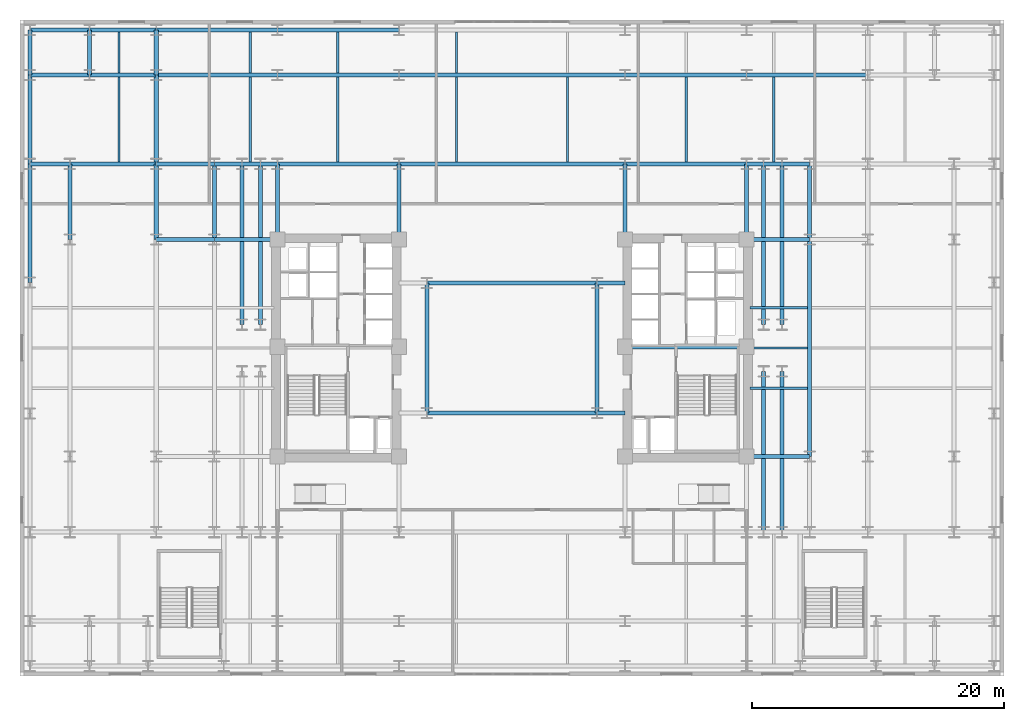
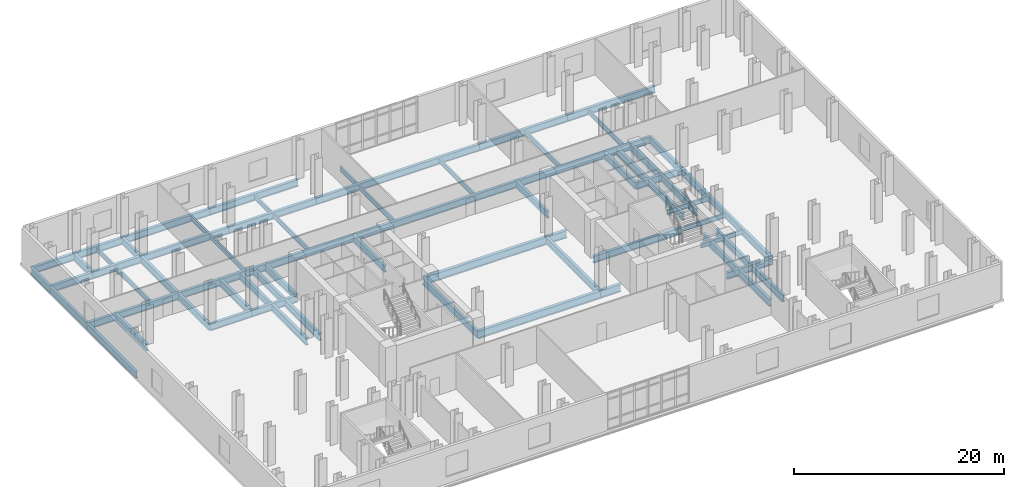
# One storey, part 4 of 13: 65 beams.
"""IFC4 building model written with IfcOpenShell, lengths in metres."""

from ifc_helpers import new_model, si_unit, direction, frame, origin, origin_2d, place, context, subcontext, project, spatial, i_section, extrude, material, material_profile, profile_set, type_object, element, save


model = new_model("IFC4")

# Units and contexts
model_context = context("Model", 3, precision=1e-05, world=origin(), true_north=direction((0.0, 1.0)))
body_context = subcontext(model_context, "Body", "Model", "MODEL_VIEW")
ifc_project = project(units=[si_unit("LENGTHUNIT", "METRE"), si_unit("AREAUNIT", "SQUARE_METRE"), si_unit("VOLUMEUNIT", "CUBIC_METRE"), si_unit("PLANEANGLEUNIT", "RADIAN"), si_unit("MASSUNIT", "GRAM", prefix="KILO")], contexts=[model_context])

# Site, building, storey
site_placement = place(None, origin())
site = spatial("IfcSite", under=ifc_project, at=site_placement, CompositionType="ELEMENT")
building_placement = place(site_placement, origin())
building = spatial("IfcBuilding", under=site, at=building_placement, Name="Velakula Bourse", CompositionType="ELEMENT")
storey_placement = place(building_placement, frame((0.0, 0.0, 5.10009765625)))
storey = spatial("IfcBuildingStorey", under=building, at=storey_placement, Name="L01", CompositionType="ELEMENT", Elevation=5.10009765625)

# Beams
ifc_material = material(Name="Steel IS 2062 Grade 350 (E350)", Category="steel")
ifc_material_profile_1 = material_profile(ifc_material, i_section(OverallWidth=0.35009765625, OverallDepth=0.89990234375, WebThickness=0.02001953125, FlangeThickness=0.031982421875, at=origin_2d()), Name="Steel IS 2062 Grade 350 (E350)")
ifc_profile_set_1 = profile_set([ifc_material_profile_1], Name="Steel IS 2062 Grade 350 (E350)")
beam_type_1 = type_object("IfcBeamType", Name="BM-LNK-900", PredefinedType="BEAM", material=ifc_profile_set_1)
beam_1_placement = place(storey_placement, frame((-6.75, -5.14990234375, -0.7001953125), z_axis=(1.0, 0.0, 0.0), x_axis=(0.0, 1.0, 0.0)))
element("IfcBeam", 1, at=beam_1_placement, inside=storey, type_object=beam_type_1, Name="L01 Primary Backbone Girder LNK-S2", PredefinedType="BEAM", context=body_context, shape_type="SweptSolid", body=[
    extrude(i_section(OverallWidth=0.35009765625, OverallDepth=0.89990234375, WebThickness=0.02001953125, FlangeThickness=0.031982421875, at=origin_2d()), origin(), (0.0, 0.0, 1.0), 13.5),
])
beam_2_placement = place(storey_placement, frame((6.75, -5.14990234375, -0.7001953125), z_axis=(1.0, 0.0, 0.0), x_axis=(0.0, 1.0, 0.0)))
element("IfcBeam", 2, at=beam_2_placement, inside=storey, type_object=beam_type_1, Name="L01 Primary Backbone Girder LNK-S3", PredefinedType="BEAM", context=body_context, shape_type="SweptSolid", body=[
    extrude(i_section(OverallWidth=0.35009765625, OverallDepth=0.89990234375, WebThickness=0.02001953125, FlangeThickness=0.031982421875, at=origin_2d()), origin(), (0.0, 0.0, 1.0), 2.199951171875),
])
beam_3_placement = place(storey_placement, frame((-6.75, 5.14990234375, -0.7001953125), z_axis=(1.0, 0.0, 0.0), x_axis=(0.0, 1.0, 0.0)))
element("IfcBeam", 3, at=beam_3_placement, inside=storey, type_object=beam_type_1, Name="L01 Primary Backbone Girder LNK-N2", PredefinedType="BEAM", context=body_context, shape_type="SweptSolid", body=[
    extrude(i_section(OverallWidth=0.35009765625, OverallDepth=0.89990234375, WebThickness=0.02001953125, FlangeThickness=0.031982421875, at=origin_2d()), origin(), (0.0, 0.0, 1.0), 13.5),
])
beam_4_placement = place(storey_placement, frame((6.75, 5.14990234375, -0.7001953125), z_axis=(1.0, 0.0, 0.0), x_axis=(0.0, 1.0, 0.0)))
element("IfcBeam", 4, at=beam_4_placement, inside=storey, type_object=beam_type_1, Name="L01 Primary Backbone Girder LNK-N3", PredefinedType="BEAM", context=body_context, shape_type="SweptSolid", body=[
    extrude(i_section(OverallWidth=0.35009765625, OverallDepth=0.89990234375, WebThickness=0.02001953125, FlangeThickness=0.031982421875, at=origin_2d()), origin(), (0.0, 0.0, 1.0), 2.199951171875),
])
ifc_material_profile_2 = material_profile(ifc_material, i_section(OverallWidth=0.320068359375, OverallDepth=0.800048828125, WebThickness=0.01806640625, FlangeThickness=0.028076171875, at=origin_2d()), Name="Steel IS 2062 Grade 350 (E350)")
ifc_profile_set_2 = profile_set([ifc_material_profile_2], Name="Steel IS 2062 Grade 350 (E350)")
beam_type_2 = type_object("IfcBeamType", Name="BM-POD-800", PredefinedType="BEAM", material=ifc_profile_set_2)
beam_5_placement = place(storey_placement, frame((8.949951171875, 0.10009765625, -0.650146484375), z_axis=(1.0, 0.0, 0.0), x_axis=(0.0, 1.0, 0.0)))
element("IfcBeam", 5, at=beam_5_placement, inside=storey, type_object=beam_type_2, Name="L01 Primary Backbone Girder CRE-M", PredefinedType="BEAM", context=body_context, shape_type="SweptSolid", body=[
    extrude(i_section(OverallWidth=0.320068359375, OverallDepth=0.800048828125, WebThickness=0.01806640625, FlangeThickness=0.028076171875, at=origin_2d()), origin(), (0.0, 0.0, 1.0), 9.650146484375),
])
for number, where, z_axis, x_axis, name in (
    (6, (-6.75, -5.14990234375, -0.650146484375), (0.0, 1.0, 0.0), (-1.0, 0.0, 0.0), "L01 Primary Backbone Girder SPN-W"),
    (7, (6.75, -5.14990234375, -0.650146484375), (0.0, 1.0, 0.0), (-1.0, 0.0, 0.0), "L01 Primary Backbone Girder SPN-E"),
):
    element("IfcBeam", number, at=place(storey_placement, frame(where, z_axis=z_axis, x_axis=x_axis)), inside=storey, type_object=beam_type_2, Name=name, PredefinedType="BEAM", context=body_context, shape_type="SweptSolid", body=[
        extrude(i_section(OverallWidth=0.320068359375, OverallDepth=0.800048828125, WebThickness=0.01806640625, FlangeThickness=0.028076171875, at=origin_2d()), origin(), (0.0, 0.0, 1.0), 10.2998046875),
    ])
for number, where, z_axis, x_axis, name in (
    (8, (-18.60009765625, 8.60009765625, -0.650146484375), (0.0, 1.0, 0.0), (-1.0, 0.0, 0.0), "L01 Fulcrum Grid Girder FLC-WN"),
    (9, (-8.949951171875, 8.60009765625, -0.650146484375), (0.0, 1.0, 0.0), (-1.0, 0.0, 0.0), "L01 Fulcrum Grid Girder FLC-WCN"),
    (10, (8.949951171875, 8.60009765625, -0.650146484375), (0.0, 1.0, 0.0), (-1.0, 0.0, 0.0), "L01 Fulcrum Grid Girder FLC-ECN"),
    (11, (18.60009765625, 8.60009765625, -0.650146484375), (0.0, 1.0, 0.0), (-1.0, 0.0, 0.0), "L01 Fulcrum Grid Girder FLC-EN"),
):
    element("IfcBeam", number, at=place(storey_placement, frame(where, z_axis=z_axis, x_axis=x_axis)), inside=storey, type_object=beam_type_2, Name=name, PredefinedType="BEAM", context=body_context, shape_type="SweptSolid", body=[
        extrude(i_section(OverallWidth=0.320068359375, OverallDepth=0.800048828125, WebThickness=0.01806640625, FlangeThickness=0.028076171875, at=origin_2d()), origin(), (0.0, 0.0, 1.0), 6.0),
    ])
beam_6_placement = place(storey_placement, frame((-18.60009765625, 14.60009765625, -0.650146484375), z_axis=(1.0, 0.0, 0.0), x_axis=(0.0, 1.0, 0.0)))
element("IfcBeam", 12, at=beam_6_placement, inside=storey, type_object=beam_type_2, Name="L01 Fulcrum Grid Girder FLC-N1", PredefinedType="BEAM", context=body_context, shape_type="SweptSolid", body=[
    extrude(i_section(OverallWidth=0.320068359375, OverallDepth=0.800048828125, WebThickness=0.01806640625, FlangeThickness=0.028076171875, at=origin_2d()), origin(), (0.0, 0.0, 1.0), 9.650146484375),
])
beam_7_placement = place(storey_placement, frame((-8.949951171875, 14.60009765625, -0.650146484375), z_axis=(1.0, 0.0, 0.0), x_axis=(0.0, 1.0, 0.0)))
element("IfcBeam", 13, at=beam_7_placement, inside=storey, type_object=beam_type_2, Name="L01 Fulcrum Grid Girder FLC-N2", PredefinedType="BEAM", context=body_context, shape_type="SweptSolid", body=[
    extrude(i_section(OverallWidth=0.320068359375, OverallDepth=0.800048828125, WebThickness=0.01806640625, FlangeThickness=0.028076171875, at=origin_2d()), origin(), (0.0, 0.0, 1.0), 17.89990234375),
])
beam_8_placement = place(storey_placement, frame((8.949951171875, 14.60009765625, -0.650146484375), z_axis=(1.0, 0.0, 0.0), x_axis=(0.0, 1.0, 0.0)))
element("IfcBeam", 14, at=beam_8_placement, inside=storey, type_object=beam_type_2, Name="L01 Fulcrum Grid Girder FLC-N3", PredefinedType="BEAM", context=body_context, shape_type="SweptSolid", body=[
    extrude(i_section(OverallWidth=0.320068359375, OverallDepth=0.800048828125, WebThickness=0.01806640625, FlangeThickness=0.028076171875, at=origin_2d()), origin(), (0.0, 0.0, 1.0), 9.650146484375),
])
for number, where, z_axis, x_axis, name in (
    (15, (-21.39990234375, 1.85009765625, -0.650146484375), (0.0, 1.0, 0.0), (-1.0, 0.0, 0.0), "L01 Fulcrum Grid Girder FLC-PNW1"),
    (16, (-19.949951171875, 1.85009765625, -0.650146484375), (0.0, 1.0, 0.0), (-1.0, 0.0, 0.0), "L01 Fulcrum Grid Girder FLC-PNW2"),
    (17, (19.949951171875, -14.60009765625, -0.650146484375), (0.0, 1.0, 0.0), (-1.0, 0.0, 0.0), "L01 Fulcrum Grid Girder FLC-PSE1"),
    (18, (19.949951171875, 1.85009765625, -0.650146484375), (0.0, 1.0, 0.0), (-1.0, 0.0, 0.0), "L01 Fulcrum Grid Girder FLC-PNE1"),
    (19, (21.39990234375, -14.60009765625, -0.650146484375), (0.0, 1.0, 0.0), (-1.0, 0.0, 0.0), "L01 Fulcrum Grid Girder FLC-PSE2"),
    (20, (21.39990234375, 1.85009765625, -0.650146484375), (0.0, 1.0, 0.0), (-1.0, 0.0, 0.0), "L01 Fulcrum Grid Girder FLC-PNE2"),
):
    element("IfcBeam", number, at=place(storey_placement, frame(where, z_axis=z_axis, x_axis=x_axis)), inside=storey, type_object=beam_type_2, Name=name, PredefinedType="BEAM", context=body_context, shape_type="SweptSolid", body=[
        extrude(i_section(OverallWidth=0.320068359375, OverallDepth=0.800048828125, WebThickness=0.01806640625, FlangeThickness=0.028076171875, at=origin_2d()), origin(), (0.0, 0.0, 1.0), 12.75),
    ])
for number, where, z_axis, x_axis, name in (
    (21, (-23.60009765625, 8.60009765625, -0.650146484375), (1.0, 0.0, 0.0), (0.0, 1.0, 0.0), "L01 Fulcrum Grid Girder MWG-WN1"),
    (22, (-23.60009765625, 14.60009765625, -0.650146484375), (1.0, 0.0, 0.0), (0.0, 1.0, 0.0), "L01 Fulcrum Grid Girder MWG-WN2"),
):
    element("IfcBeam", number, at=place(storey_placement, frame(where, z_axis=z_axis, x_axis=x_axis)), inside=storey, type_object=beam_type_2, Name=name, PredefinedType="BEAM", context=body_context, shape_type="SweptSolid", body=[
        extrude(i_section(OverallWidth=0.320068359375, OverallDepth=0.800048828125, WebThickness=0.01806640625, FlangeThickness=0.028076171875, at=origin_2d()), origin(), (0.0, 0.0, 1.0), 5.0),
    ])
beam_9_placement = place(storey_placement, frame((-23.60009765625, 8.60009765625, -0.650146484375), z_axis=(0.0, 1.0, 0.0), x_axis=(-1.0, 0.0, 0.0)))
element("IfcBeam", 23, at=beam_9_placement, inside=storey, type_object=beam_type_2, Name="L01 Fulcrum Grid Girder MWG-WNS3", PredefinedType="BEAM", context=body_context, shape_type="SweptSolid", body=[
    extrude(i_section(OverallWidth=0.320068359375, OverallDepth=0.800048828125, WebThickness=0.01806640625, FlangeThickness=0.028076171875, at=origin_2d()), origin(), (0.0, 0.0, 1.0), 6.0),
])
for number, where, z_axis, x_axis, name in (
    (24, (18.60009765625, -8.60009765625, -0.650146484375), (1.0, 0.0, 0.0), (0.0, 1.0, 0.0), "L01 Fulcrum Grid Girder MWG-ES2"),
    (25, (18.60009765625, 8.60009765625, -0.650146484375), (1.0, 0.0, 0.0), (0.0, 1.0, 0.0), "L01 Fulcrum Grid Girder MWG-EN1"),
    (26, (18.60009765625, 14.60009765625, -0.650146484375), (1.0, 0.0, 0.0), (0.0, 1.0, 0.0), "L01 Fulcrum Grid Girder MWG-EN2"),
):
    element("IfcBeam", number, at=place(storey_placement, frame(where, z_axis=z_axis, x_axis=x_axis)), inside=storey, type_object=beam_type_2, Name=name, PredefinedType="BEAM", context=body_context, shape_type="SweptSolid", body=[
        extrude(i_section(OverallWidth=0.320068359375, OverallDepth=0.800048828125, WebThickness=0.01806640625, FlangeThickness=0.028076171875, at=origin_2d()), origin(), (0.0, 0.0, 1.0), 5.0),
    ])
beam_10_placement = place(storey_placement, frame((23.60009765625, -8.60009765625, -0.650146484375), z_axis=(0.0, 1.0, 0.0), x_axis=(-1.0, 0.0, 0.0)))
element("IfcBeam", 27, at=beam_10_placement, inside=storey, type_object=beam_type_2, Name="L01 Fulcrum Grid Girder MWG-ENS2", PredefinedType="BEAM", context=body_context, shape_type="SweptSolid", body=[
    extrude(i_section(OverallWidth=0.320068359375, OverallDepth=0.800048828125, WebThickness=0.01806640625, FlangeThickness=0.028076171875, at=origin_2d()), origin(), (0.0, 0.0, 1.0), 17.2001953125),
])
beam_11_placement = place(storey_placement, frame((23.60009765625, 8.60009765625, -0.650146484375), z_axis=(0.0, 1.0, 0.0), x_axis=(-1.0, 0.0, 0.0)))
element("IfcBeam", 28, at=beam_11_placement, inside=storey, type_object=beam_type_2, Name="L01 Fulcrum Grid Girder MWG-ENS3", PredefinedType="BEAM", context=body_context, shape_type="SweptSolid", body=[
    extrude(i_section(OverallWidth=0.320068359375, OverallDepth=0.800048828125, WebThickness=0.01806640625, FlangeThickness=0.028076171875, at=origin_2d()), origin(), (0.0, 0.0, 1.0), 6.0),
])
for number, where, z_axis, x_axis, name in (
    (29, (-28.199951171875, 8.60009765625, -0.650146484375), (1.0, 0.0, 0.0), (0.0, 1.0, 0.0), "L01 Fulcrum Grid Girder WNG-WN1"),
    (30, (-28.199951171875, 14.60009765625, -0.650146484375), (1.0, 0.0, 0.0), (0.0, 1.0, 0.0), "L01 Fulcrum Grid Girder WNG-WN2"),
):
    element("IfcBeam", number, at=place(storey_placement, frame(where, z_axis=z_axis, x_axis=x_axis)), inside=storey, type_object=beam_type_2, Name=name, PredefinedType="BEAM", context=body_context, shape_type="SweptSolid", body=[
        extrude(i_section(OverallWidth=0.320068359375, OverallDepth=0.800048828125, WebThickness=0.01806640625, FlangeThickness=0.028076171875, at=origin_2d()), origin(), (0.0, 0.0, 1.0), 4.599853515625),
    ])
beam_12_placement = place(storey_placement, frame((-28.199951171875, 8.60009765625, -0.650146484375), z_axis=(0.0, 1.0, 0.0), x_axis=(-1.0, 0.0, 0.0)))
element("IfcBeam", 31, at=beam_12_placement, inside=storey, type_object=beam_type_2, Name="L01 Fulcrum Grid Girder WNG-WNS3", PredefinedType="BEAM", context=body_context, shape_type="SweptSolid", body=[
    extrude(i_section(OverallWidth=0.320068359375, OverallDepth=0.800048828125, WebThickness=0.01806640625, FlangeThickness=0.028076171875, at=origin_2d()), origin(), (0.0, 0.0, 1.0), 6.0),
])
beam_13_placement = place(storey_placement, frame((-38.199951171875, 14.60009765625, -0.650146484375), z_axis=(1.0, 0.0, 0.0), x_axis=(0.0, 1.0, 0.0)))
element("IfcBeam", 32, at=beam_13_placement, inside=storey, type_object=beam_type_2, Name="L01 Podium E-W Girder 34", PredefinedType="BEAM", context=body_context, shape_type="SweptSolid", body=[
    extrude(i_section(OverallWidth=0.320068359375, OverallDepth=0.800048828125, WebThickness=0.01806640625, FlangeThickness=0.028076171875, at=origin_2d()), origin(), (0.0, 0.0, 1.0), 3.14990234375),
])
beam_14_placement = place(storey_placement, frame((-35.050048828125, 14.60009765625, -0.650146484375), z_axis=(1.0, 0.0, 0.0), x_axis=(0.0, 1.0, 0.0)))
element("IfcBeam", 33, at=beam_14_placement, inside=storey, type_object=beam_type_2, Name="L01 Podium E-W Girder 35", PredefinedType="BEAM", context=body_context, shape_type="SweptSolid", body=[
    extrude(i_section(OverallWidth=0.320068359375, OverallDepth=0.800048828125, WebThickness=0.01806640625, FlangeThickness=0.028076171875, at=origin_2d()), origin(), (0.0, 0.0, 1.0), 6.85009765625),
])
beam_15_placement = place(storey_placement, frame((-38.199951171875, 21.64990234375, -0.650146484375), z_axis=(1.0, 0.0, 0.0), x_axis=(0.0, 1.0, 0.0)))
element("IfcBeam", 34, at=beam_15_placement, inside=storey, type_object=beam_type_2, Name="L01 Podium E-W Girder 47", PredefinedType="BEAM", context=body_context, shape_type="SweptSolid", body=[
    extrude(i_section(OverallWidth=0.320068359375, OverallDepth=0.800048828125, WebThickness=0.01806640625, FlangeThickness=0.028076171875, at=origin_2d()), origin(), (0.0, 0.0, 1.0), 4.699951171875),
])
beam_16_placement = place(storey_placement, frame((-33.5, 21.64990234375, -0.650146484375), z_axis=(1.0, 0.0, 0.0), x_axis=(0.0, 1.0, 0.0)))
element("IfcBeam", 35, at=beam_16_placement, inside=storey, type_object=beam_type_2, Name="L01 Podium E-W Girder 48", PredefinedType="BEAM", context=body_context, shape_type="SweptSolid", body=[
    extrude(i_section(OverallWidth=0.320068359375, OverallDepth=0.800048828125, WebThickness=0.01806640625, FlangeThickness=0.028076171875, at=origin_2d()), origin(), (0.0, 0.0, 1.0), 5.300048828125),
])
beam_17_placement = place(storey_placement, frame((-28.199951171875, 21.64990234375, -0.650146484375), z_axis=(1.0, 0.0, 0.0), x_axis=(0.0, 1.0, 0.0)))
element("IfcBeam", 36, at=beam_17_placement, inside=storey, type_object=beam_type_2, Name="L01 Podium E-W Girder 49", PredefinedType="BEAM", context=body_context, shape_type="SweptSolid", body=[
    extrude(i_section(OverallWidth=0.320068359375, OverallDepth=0.800048828125, WebThickness=0.01806640625, FlangeThickness=0.028076171875, at=origin_2d()), origin(), (0.0, 0.0, 1.0), 9.599853515625),
])
beam_18_placement = place(storey_placement, frame((-18.60009765625, 21.64990234375, -0.650146484375), z_axis=(1.0, 0.0, 0.0), x_axis=(0.0, 1.0, 0.0)))
element("IfcBeam", 37, at=beam_18_placement, inside=storey, type_object=beam_type_2, Name="L01 Podium E-W Girder 50", PredefinedType="BEAM", context=body_context, shape_type="SweptSolid", body=[
    extrude(i_section(OverallWidth=0.320068359375, OverallDepth=0.800048828125, WebThickness=0.01806640625, FlangeThickness=0.028076171875, at=origin_2d()), origin(), (0.0, 0.0, 1.0), 9.650146484375),
])
beam_19_placement = place(storey_placement, frame((-8.949951171875, 21.64990234375, -0.650146484375), z_axis=(1.0, 0.0, 0.0), x_axis=(0.0, 1.0, 0.0)))
element("IfcBeam", 38, at=beam_19_placement, inside=storey, type_object=beam_type_2, Name="L01 Podium E-W Girder 51", PredefinedType="BEAM", context=body_context, shape_type="SweptSolid", body=[
    extrude(i_section(OverallWidth=0.320068359375, OverallDepth=0.800048828125, WebThickness=0.01806640625, FlangeThickness=0.028076171875, at=origin_2d()), origin(), (0.0, 0.0, 1.0), 17.89990234375),
])
beam_20_placement = place(storey_placement, frame((8.949951171875, 21.64990234375, -0.650146484375), z_axis=(1.0, 0.0, 0.0), x_axis=(0.0, 1.0, 0.0)))
element("IfcBeam", 39, at=beam_20_placement, inside=storey, type_object=beam_type_2, Name="L01 Podium E-W Girder 52", PredefinedType="BEAM", context=body_context, shape_type="SweptSolid", body=[
    extrude(i_section(OverallWidth=0.320068359375, OverallDepth=0.800048828125, WebThickness=0.01806640625, FlangeThickness=0.028076171875, at=origin_2d()), origin(), (0.0, 0.0, 1.0), 9.650146484375),
])
beam_21_placement = place(storey_placement, frame((18.60009765625, 21.64990234375, -0.650146484375), z_axis=(1.0, 0.0, 0.0), x_axis=(0.0, 1.0, 0.0)))
element("IfcBeam", 40, at=beam_21_placement, inside=storey, type_object=beam_type_2, Name="L01 Podium E-W Girder 53", PredefinedType="BEAM", context=body_context, shape_type="SweptSolid", body=[
    extrude(i_section(OverallWidth=0.320068359375, OverallDepth=0.800048828125, WebThickness=0.01806640625, FlangeThickness=0.028076171875, at=origin_2d()), origin(), (0.0, 0.0, 1.0), 9.599853515625),
])
beam_22_placement = place(storey_placement, frame((-38.199951171875, 25.199951171875, -0.650146484375), z_axis=(1.0, 0.0, 0.0), x_axis=(0.0, 1.0, 0.0)))
element("IfcBeam", 41, at=beam_22_placement, inside=storey, type_object=beam_type_2, Name="L01 Podium E-W Girder 56", PredefinedType="BEAM", context=body_context, shape_type="SweptSolid", body=[
    extrude(i_section(OverallWidth=0.320068359375, OverallDepth=0.800048828125, WebThickness=0.01806640625, FlangeThickness=0.028076171875, at=origin_2d()), origin(), (0.0, 0.0, 1.0), 4.699951171875),
])
beam_23_placement = place(storey_placement, frame((-33.5, 25.199951171875, -0.650146484375), z_axis=(1.0, 0.0, 0.0), x_axis=(0.0, 1.0, 0.0)))
element("IfcBeam", 42, at=beam_23_placement, inside=storey, type_object=beam_type_2, Name="L01 Podium E-W Girder 57", PredefinedType="BEAM", context=body_context, shape_type="SweptSolid", body=[
    extrude(i_section(OverallWidth=0.320068359375, OverallDepth=0.800048828125, WebThickness=0.01806640625, FlangeThickness=0.028076171875, at=origin_2d()), origin(), (0.0, 0.0, 1.0), 5.300048828125),
])
beam_24_placement = place(storey_placement, frame((-28.199951171875, 25.199951171875, -0.650146484375), z_axis=(1.0, 0.0, 0.0), x_axis=(0.0, 1.0, 0.0)))
element("IfcBeam", 43, at=beam_24_placement, inside=storey, type_object=beam_type_2, Name="L01 Podium E-W Girder 58", PredefinedType="BEAM", context=body_context, shape_type="SweptSolid", body=[
    extrude(i_section(OverallWidth=0.320068359375, OverallDepth=0.800048828125, WebThickness=0.01806640625, FlangeThickness=0.028076171875, at=origin_2d()), origin(), (0.0, 0.0, 1.0), 9.599853515625),
])
beam_25_placement = place(storey_placement, frame((-18.60009765625, 25.199951171875, -0.650146484375), z_axis=(1.0, 0.0, 0.0), x_axis=(0.0, 1.0, 0.0)))
element("IfcBeam", 44, at=beam_25_placement, inside=storey, type_object=beam_type_2, Name="L01 Podium E-W Girder 59", PredefinedType="BEAM", context=body_context, shape_type="SweptSolid", body=[
    extrude(i_section(OverallWidth=0.320068359375, OverallDepth=0.800048828125, WebThickness=0.01806640625, FlangeThickness=0.028076171875, at=origin_2d()), origin(), (0.0, 0.0, 1.0), 9.650146484375),
])
beam_26_placement = place(storey_placement, frame((-38.199951171875, 5.199951171875, -0.650146484375), z_axis=(0.0, 1.0, 0.0), x_axis=(-1.0, 0.0, 0.0)))
element("IfcBeam", 45, at=beam_26_placement, inside=storey, type_object=beam_type_2, Name="L01 Podium N-S Girder 69", PredefinedType="BEAM", context=body_context, shape_type="SweptSolid", body=[
    extrude(i_section(OverallWidth=0.320068359375, OverallDepth=0.800048828125, WebThickness=0.01806640625, FlangeThickness=0.028076171875, at=origin_2d()), origin(), (0.0, 0.0, 1.0), 9.400146484375),
])
beam_27_placement = place(storey_placement, frame((-38.199951171875, 14.60009765625, -0.650146484375), z_axis=(0.0, 1.0, 0.0), x_axis=(-1.0, 0.0, 0.0)))
element("IfcBeam", 46, at=beam_27_placement, inside=storey, type_object=beam_type_2, Name="L01 Podium N-S Girder 70", PredefinedType="BEAM", context=body_context, shape_type="SweptSolid", body=[
    extrude(i_section(OverallWidth=0.320068359375, OverallDepth=0.800048828125, WebThickness=0.01806640625, FlangeThickness=0.028076171875, at=origin_2d()), origin(), (0.0, 0.0, 1.0), 7.0498046875),
])
beam_28_placement = place(storey_placement, frame((-38.199951171875, 21.64990234375, -0.650146484375), z_axis=(0.0, 1.0, 0.0), x_axis=(-1.0, 0.0, 0.0)))
element("IfcBeam", 47, at=beam_28_placement, inside=storey, type_object=beam_type_2, Name="L01 Podium N-S Girder 71", PredefinedType="BEAM", context=body_context, shape_type="SweptSolid", body=[
    extrude(i_section(OverallWidth=0.320068359375, OverallDepth=0.800048828125, WebThickness=0.01806640625, FlangeThickness=0.028076171875, at=origin_2d()), origin(), (0.0, 0.0, 1.0), 3.550048828125),
])
beam_29_placement = place(storey_placement, frame((-35.050048828125, 8.60009765625, -0.650146484375), z_axis=(0.0, 1.0, 0.0), x_axis=(-1.0, 0.0, 0.0)))
element("IfcBeam", 48, at=beam_29_placement, inside=storey, type_object=beam_type_2, Name="L01 Podium N-S Girder 74", PredefinedType="BEAM", context=body_context, shape_type="SweptSolid", body=[
    extrude(i_section(OverallWidth=0.320068359375, OverallDepth=0.800048828125, WebThickness=0.01806640625, FlangeThickness=0.028076171875, at=origin_2d()), origin(), (0.0, 0.0, 1.0), 6.0),
])
beam_30_placement = place(storey_placement, frame((-28.199951171875, 14.60009765625, -0.650146484375), z_axis=(0.0, 1.0, 0.0), x_axis=(-1.0, 0.0, 0.0)))
element("IfcBeam", 49, at=beam_30_placement, inside=storey, type_object=beam_type_2, Name="L01 Podium N-S Girder 80", PredefinedType="BEAM", context=body_context, shape_type="SweptSolid", body=[
    extrude(i_section(OverallWidth=0.320068359375, OverallDepth=0.800048828125, WebThickness=0.01806640625, FlangeThickness=0.028076171875, at=origin_2d()), origin(), (0.0, 0.0, 1.0), 7.0498046875),
])
for number, where, z_axis, x_axis, name in (
    (50, (-28.199951171875, 21.64990234375, -0.650146484375), (0.0, 1.0, 0.0), (-1.0, 0.0, 0.0), "L01 Podium N-S Girder 81"),
    (51, (-33.5, 21.64990234375, -0.650146484375), (0.0, 1.0, 0.0), (-1.0, 0.0, 0.0), "L01 Podium N-S Girder 99"),
):
    element("IfcBeam", number, at=place(storey_placement, frame(where, z_axis=z_axis, x_axis=x_axis)), inside=storey, type_object=beam_type_2, Name=name, PredefinedType="BEAM", context=body_context, shape_type="SweptSolid", body=[
        extrude(i_section(OverallWidth=0.320068359375, OverallDepth=0.800048828125, WebThickness=0.01806640625, FlangeThickness=0.028076171875, at=origin_2d()), origin(), (0.0, 0.0, 1.0), 3.550048828125),
    ])
ifc_material_profile_3 = material_profile(ifc_material, i_section(OverallWidth=0.18994140625, OverallDepth=0.550048828125, WebThickness=0.01123046875, FlangeThickness=0.019287109375, at=origin_2d()), Name="Steel IS 2062 Grade 350 (E350)")
ifc_profile_set_3 = profile_set([ifc_material_profile_3], Name="Steel IS 2062 Grade 350 (E350)")
beam_type_3 = type_object("IfcBeamType", Name="JST-POD-550", PredefinedType="JOIST", material=ifc_profile_set_3)
beam_31_placement = place(storey_placement, frame((-31.14990234375, 14.760009765625, -0.525146484375), z_axis=(0.0, 1.0, 0.0), x_axis=(-1.0, 0.0, 0.0)))
element("IfcBeam", 52, at=beam_31_placement, inside=storey, type_object=beam_type_3, Name="L01 Station Podium Floor Joist 03", PredefinedType="JOIST", context=body_context, shape_type="SweptSolid", body=[
    extrude(i_section(OverallWidth=0.18994140625, OverallDepth=0.550048828125, WebThickness=0.01123046875, FlangeThickness=0.019287109375, at=origin_2d()), origin(), (0.0, 0.0, 1.0), 6.72998046875),
])
beam_32_placement = place(storey_placement, frame((-31.14990234375, 21.81005859375, -0.525146484375), z_axis=(0.0, 1.0, 0.0), x_axis=(-1.0, 0.0, 0.0)))
element("IfcBeam", 53, at=beam_32_placement, inside=storey, type_object=beam_type_3, Name="L01 Station Podium Floor Joist 04", PredefinedType="JOIST", context=body_context, shape_type="SweptSolid", body=[
    extrude(i_section(OverallWidth=0.18994140625, OverallDepth=0.550048828125, WebThickness=0.01123046875, FlangeThickness=0.019287109375, at=origin_2d()), origin(), (0.0, 0.0, 1.0), 3.22998046875),
])
beam_33_placement = place(storey_placement, frame((-20.75, 14.760009765625, -0.525146484375), z_axis=(0.0, 1.0, 0.0), x_axis=(-1.0, 0.0, 0.0)))
element("IfcBeam", 54, at=beam_33_placement, inside=storey, type_object=beam_type_3, Name="L01 Station Podium Floor Joist 07", PredefinedType="JOIST", context=body_context, shape_type="SweptSolid", body=[
    extrude(i_section(OverallWidth=0.18994140625, OverallDepth=0.550048828125, WebThickness=0.01123046875, FlangeThickness=0.019287109375, at=origin_2d()), origin(), (0.0, 0.0, 1.0), 6.72998046875),
])
beam_34_placement = place(storey_placement, frame((-20.75, 21.81005859375, -0.525146484375), z_axis=(0.0, 1.0, 0.0), x_axis=(-1.0, 0.0, 0.0)))
element("IfcBeam", 55, at=beam_34_placement, inside=storey, type_object=beam_type_3, Name="L01 Station Podium Floor Joist 08", PredefinedType="JOIST", context=body_context, shape_type="SweptSolid", body=[
    extrude(i_section(OverallWidth=0.18994140625, OverallDepth=0.550048828125, WebThickness=0.01123046875, FlangeThickness=0.019287109375, at=origin_2d()), origin(), (0.0, 0.0, 1.0), 3.22998046875),
])
beam_35_placement = place(storey_placement, frame((-13.800048828125, 14.760009765625, -0.525146484375), z_axis=(0.0, 1.0, 0.0), x_axis=(-1.0, 0.0, 0.0)))
element("IfcBeam", 56, at=beam_35_placement, inside=storey, type_object=beam_type_3, Name="L01 Station Podium Floor Joist 11", PredefinedType="JOIST", context=body_context, shape_type="SweptSolid", body=[
    extrude(i_section(OverallWidth=0.18994140625, OverallDepth=0.550048828125, WebThickness=0.01123046875, FlangeThickness=0.019287109375, at=origin_2d()), origin(), (0.0, 0.0, 1.0), 6.72998046875),
])
beam_36_placement = place(storey_placement, frame((-13.800048828125, 21.81005859375, -0.525146484375), z_axis=(0.0, 1.0, 0.0), x_axis=(-1.0, 0.0, 0.0)))
element("IfcBeam", 57, at=beam_36_placement, inside=storey, type_object=beam_type_3, Name="L01 Station Podium Floor Joist 12", PredefinedType="JOIST", context=body_context, shape_type="SweptSolid", body=[
    extrude(i_section(OverallWidth=0.18994140625, OverallDepth=0.550048828125, WebThickness=0.01123046875, FlangeThickness=0.019287109375, at=origin_2d()), origin(), (0.0, 0.0, 1.0), 3.22998046875),
])
beam_37_placement = place(storey_placement, frame((-4.39990234375, 14.760009765625, -0.525146484375), z_axis=(0.0, 1.0, 0.0), x_axis=(-1.0, 0.0, 0.0)))
element("IfcBeam", 58, at=beam_37_placement, inside=storey, type_object=beam_type_3, Name="L01 Station Podium Floor Joist 15", PredefinedType="JOIST", context=body_context, shape_type="SweptSolid", body=[
    extrude(i_section(OverallWidth=0.18994140625, OverallDepth=0.550048828125, WebThickness=0.01123046875, FlangeThickness=0.019287109375, at=origin_2d()), origin(), (0.0, 0.0, 1.0), 6.72998046875),
])
beam_38_placement = place(storey_placement, frame((-4.39990234375, 21.81005859375, -0.525146484375), z_axis=(0.0, 1.0, 0.0), x_axis=(-1.0, 0.0, 0.0)))
element("IfcBeam", 59, at=beam_38_placement, inside=storey, type_object=beam_type_3, Name="L01 Station Podium Floor Joist 16", PredefinedType="JOIST", context=body_context, shape_type="SweptSolid", body=[
    extrude(i_section(OverallWidth=0.18994140625, OverallDepth=0.550048828125, WebThickness=0.01123046875, FlangeThickness=0.019287109375, at=origin_2d()), origin(), (0.0, 0.0, 1.0), 3.22998046875),
])
for number, where, z_axis, x_axis, name in (
    (60, (4.39990234375, 14.760009765625, -0.525146484375), (0.0, 1.0, 0.0), (-1.0, 0.0, 0.0), "L01 Station Podium Floor Joist 19"),
    (61, (13.800048828125, 14.760009765625, -0.525146484375), (0.0, 1.0, 0.0), (-1.0, 0.0, 0.0), "L01 Station Podium Floor Joist 23"),
    (62, (20.75, 14.760009765625, -0.525146484375), (0.0, 1.0, 0.0), (-1.0, 0.0, 0.0), "L01 Station Podium Floor Joist 27"),
):
    element("IfcBeam", number, at=place(storey_placement, frame(where, z_axis=z_axis, x_axis=x_axis)), inside=storey, type_object=beam_type_3, Name=name, PredefinedType="JOIST", context=body_context, shape_type="SweptSolid", body=[
        extrude(i_section(OverallWidth=0.18994140625, OverallDepth=0.550048828125, WebThickness=0.01123046875, FlangeThickness=0.019287109375, at=origin_2d()), origin(), (0.0, 0.0, 1.0), 6.72998046875),
    ])
for number, where, z_axis, x_axis, name in (
    (63, (18.85009765625, -3.199951171875, -0.525146484375), (1.0, 0.0, 0.0), (0.0, 1.0, 0.0), "L01 Station Wing Floor Joist 37"),
    (64, (18.85009765625, 0.0, -0.525146484375), (1.0, 0.0, 0.0), (0.0, 1.0, 0.0), "L01 Station Wing Floor Joist 45"),
    (65, (18.85009765625, 3.199951171875, -0.525146484375), (1.0, 0.0, 0.0), (0.0, 1.0, 0.0), "L01 Station Wing Floor Joist 53"),
):
    element("IfcBeam", number, at=place(storey_placement, frame(where, z_axis=z_axis, x_axis=x_axis)), inside=storey, type_object=beam_type_3, Name=name, PredefinedType="JOIST", context=body_context, shape_type="SweptSolid", body=[
        extrude(i_section(OverallWidth=0.18994140625, OverallDepth=0.550048828125, WebThickness=0.01123046875, FlangeThickness=0.019287109375, at=origin_2d()), origin(), (0.0, 0.0, 1.0), 4.58984375),
    ])

save(model, "model.ifc")
